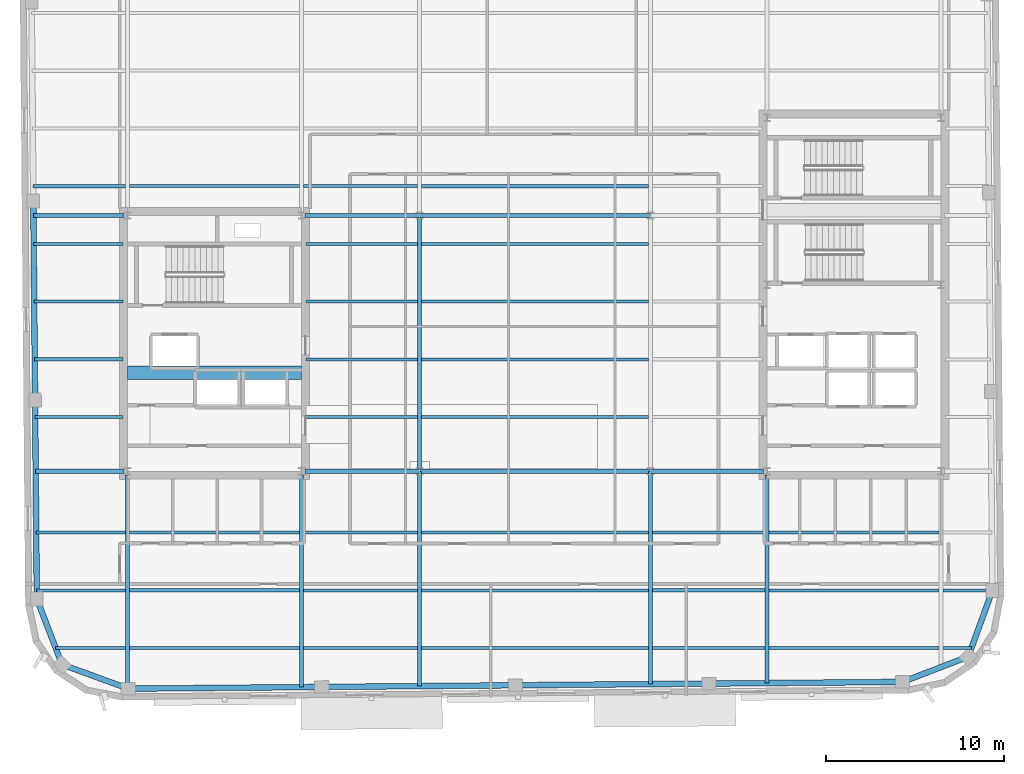
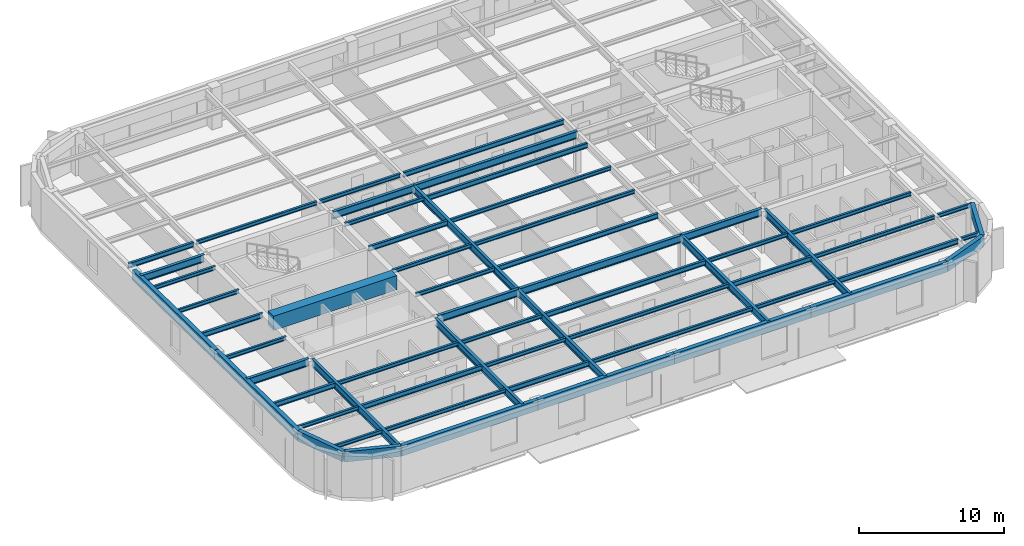
# One storey, part 4 of 15: 60 beams.
"""IFC4 building model written with IfcOpenShell, lengths in metres."""

from ifc_helpers import new_model, si_unit, direction, frame, origin, origin_2d, place, context, subcontext, project, spatial, rectangle, hollow_rectangle, i_section, extrude, material, material_profile, profile_set, type_object, element, save


model = new_model("IFC4")

# Units and contexts
model_context = context("Model", 3, precision=1e-05, world=origin(), true_north=direction((0.0, 1.0)))
body_context = subcontext(model_context, "Body", "Model", "MODEL_VIEW")
ifc_project = project(units=[si_unit("LENGTHUNIT", "METRE"), si_unit("AREAUNIT", "SQUARE_METRE"), si_unit("VOLUMEUNIT", "CUBIC_METRE"), si_unit("PLANEANGLEUNIT", "RADIAN"), si_unit("MASSUNIT", "GRAM", prefix="KILO")], contexts=[model_context])

# Site, building, storey
site_placement = place(None, origin())
site = spatial("IfcSite", under=ifc_project, at=site_placement, CompositionType="ELEMENT")
building_placement = place(site_placement, origin())
building = spatial("IfcBuilding", under=site, at=building_placement, Name="Kolvaren Arena Tower", CompositionType="ELEMENT")
storey_placement = place(building_placement, frame((0.0, 0.0, 304.89990234375)))
storey = spatial("IfcBuildingStorey", under=building, at=storey_placement, Name="L75", CompositionType="ELEMENT", Elevation=304.89990234375)

# Beams
ifc_material_1 = material(Name="Steel CSA G40.21 350W", Category="steel")
ifc_material_profile_1 = material_profile(ifc_material_1, i_section(OverallWidth=0.180908203125, OverallDepth=0.4169921875, WebThickness=0.010986328125, FlangeThickness=0.018310546875, FilletRadius=0.011962890625, at=origin_2d()), Name="W410x85")
ifc_profile_set_1 = profile_set([ifc_material_profile_1], Name="Steel CSA G40.21 350W")
beam_type_1 = type_object("IfcBeamType", Name="BEAM-F3", PredefinedType="BEAM", material=ifc_profile_set_1)
beam_1_placement = place(storey_placement, frame((24.464111328125, 9.5, 3.271484375), z_axis=(1.0, 0.0, 0.0), x_axis=(0.0, 1.0, 0.0)))
element("IfcBeam", 1, at=beam_1_placement, inside=storey, type_object=beam_type_1, Name="Composite Floor Beam (L75)", PredefinedType="BEAM", context=body_context, shape_type="SweptSolid", body=[
    extrude(i_section(OverallWidth=0.180908203125, OverallDepth=0.4169921875, WebThickness=0.010986328125, FlangeThickness=0.018310546875, FilletRadius=0.011962890625, at=origin_2d()), origin(), (0.0, 0.0, 1.0), 6.421875),
])
for number, where, z_axis, x_axis, name in (
    (2, (50.6640625, 9.5, 3.271484375), (1.0, 0.0, 0.0), (0.0, 1.0, 0.0), "Composite Floor Beam (L75)"),
    (3, (14.6640625, 12.75, 3.271484375), (1.0, 0.0, 0.0), (0.0, 1.0, 0.0), "Composite Floor Beam (L75)"),
):
    element("IfcBeam", number, at=place(storey_placement, frame(where, z_axis=z_axis, x_axis=x_axis)), inside=storey, type_object=beam_type_1, Name=name, PredefinedType="BEAM", context=body_context, shape_type="SweptSolid", body=[
        extrude(i_section(OverallWidth=0.180908203125, OverallDepth=0.4169921875, WebThickness=0.010986328125, FlangeThickness=0.018310546875, FilletRadius=0.011962890625, at=origin_2d()), origin(), (0.0, 0.0, 1.0), 9.572021484375),
    ])
beam_2_placement = place(storey_placement, frame((44.114013671875, 12.75, 3.271484375), z_axis=(1.0, 0.0, 0.0), x_axis=(0.0, 1.0, 0.0)))
element("IfcBeam", 4, at=beam_2_placement, inside=storey, type_object=beam_type_1, Name="Composite Floor Beam (L75)", PredefinedType="BEAM", context=body_context, shape_type="SweptSolid", body=[
    extrude(i_section(OverallWidth=0.180908203125, OverallDepth=0.4169921875, WebThickness=0.010986328125, FlangeThickness=0.018310546875, FilletRadius=0.011962890625, at=origin_2d()), origin(), (0.0, 0.0, 1.0), 6.322021484375),
])
beam_3_placement = place(storey_placement, frame((9.4150390625, 16.0, 3.271484375), z_axis=(1.0, 0.0, 0.0), x_axis=(0.0, 1.0, 0.0)))
element("IfcBeam", 5, at=beam_3_placement, inside=storey, type_object=beam_type_1, Name="Composite Floor Beam (L75)", PredefinedType="BEAM", context=body_context, shape_type="SweptSolid", body=[
    extrude(i_section(OverallWidth=0.180908203125, OverallDepth=0.4169921875, WebThickness=0.010986328125, FlangeThickness=0.018310546875, FilletRadius=0.011962890625, at=origin_2d()), origin(), (0.0, 0.0, 1.0), 5.02099609375),
])
for number, where, z_axis, x_axis, name in (
    (6, (31.114013671875, 16.0, 3.271484375), (1.0, 0.0, 0.0), (0.0, 1.0, 0.0), "Composite Floor Beam (L75)"),
    (7, (31.114013671875, 22.5, 3.271484375), (1.0, 0.0, 0.0), (0.0, 1.0, 0.0), "Composite Floor Beam (L75)"),
):
    element("IfcBeam", number, at=place(storey_placement, frame(where, z_axis=z_axis, x_axis=x_axis)), inside=storey, type_object=beam_type_1, Name=name, PredefinedType="BEAM", context=body_context, shape_type="SweptSolid", body=[
        extrude(i_section(OverallWidth=0.180908203125, OverallDepth=0.4169921875, WebThickness=0.010986328125, FlangeThickness=0.018310546875, FilletRadius=0.011962890625, at=origin_2d()), origin(), (0.0, 0.0, 1.0), 12.77197265625),
    ])
beam_4_placement = place(storey_placement, frame((9.330078125, 25.75, 3.271484375), z_axis=(1.0, 0.0, 0.0), x_axis=(0.0, 1.0, 0.0)))
element("IfcBeam", 8, at=beam_4_placement, inside=storey, type_object=beam_type_1, Name="Composite Floor Beam (L75)", PredefinedType="BEAM", context=body_context, shape_type="SweptSolid", body=[
    extrude(i_section(OverallWidth=0.180908203125, OverallDepth=0.4169921875, WebThickness=0.010986328125, FlangeThickness=0.018310546875, FilletRadius=0.011962890625, at=origin_2d()), origin(), (0.0, 0.0, 1.0), 4.974853515625),
])
beam_5_placement = place(storey_placement, frame((24.594970703125, 29.0, 3.271484375), z_axis=(1.0, 0.0, 0.0), x_axis=(0.0, 1.0, 0.0)))
element("IfcBeam", 9, at=beam_5_placement, inside=storey, type_object=beam_type_1, Name="Composite Floor Beam (L75)", PredefinedType="BEAM", context=body_context, shape_type="SweptSolid", body=[
    extrude(i_section(OverallWidth=0.180908203125, OverallDepth=0.4169921875, WebThickness=0.010986328125, FlangeThickness=0.018310546875, FilletRadius=0.011962890625, at=origin_2d()), origin(), (0.0, 0.0, 1.0), 6.291015625),
])
beam_6_placement = place(storey_placement, frame((31.114013671875, 32.25, 3.271484375), z_axis=(1.0, 0.0, 0.0), x_axis=(0.0, 1.0, 0.0)))
element("IfcBeam", 10, at=beam_6_placement, inside=storey, type_object=beam_type_1, Name="Composite Floor Beam (L75)", PredefinedType="BEAM", context=body_context, shape_type="SweptSolid", body=[
    extrude(i_section(OverallWidth=0.180908203125, OverallDepth=0.4169921875, WebThickness=0.010986328125, FlangeThickness=0.018310546875, FilletRadius=0.011962890625, at=origin_2d()), origin(), (0.0, 0.0, 1.0), 12.77197265625),
])
beam_7_placement = place(storey_placement, frame((9.244873046875, 35.5, 3.271484375), z_axis=(1.0, 0.0, 0.0), x_axis=(0.0, 1.0, 0.0)))
element("IfcBeam", 11, at=beam_7_placement, inside=storey, type_object=beam_type_1, Name="Composite Floor Beam (L75)", PredefinedType="BEAM", context=body_context, shape_type="SweptSolid", body=[
    extrude(i_section(OverallWidth=0.180908203125, OverallDepth=0.4169921875, WebThickness=0.010986328125, FlangeThickness=0.018310546875, FilletRadius=0.011962890625, at=origin_2d()), origin(), (0.0, 0.0, 1.0), 5.191162109375),
])
beam_8_placement = place(storey_placement, frame((31.114013671875, 35.5, 3.271484375), z_axis=(1.0, 0.0, 0.0), x_axis=(0.0, 1.0, 0.0)))
element("IfcBeam", 12, at=beam_8_placement, inside=storey, type_object=beam_type_1, Name="Composite Floor Beam (L75)", PredefinedType="BEAM", context=body_context, shape_type="SweptSolid", body=[
    extrude(i_section(OverallWidth=0.180908203125, OverallDepth=0.4169921875, WebThickness=0.010986328125, FlangeThickness=0.018310546875, FilletRadius=0.011962890625, at=origin_2d()), origin(), (0.0, 0.0, 1.0), 12.77197265625),
])
ifc_material_2 = material(Name="Concrete 60 MPa", Category="concrete")
ifc_material_profile_2 = material_profile(ifc_material_2, rectangle(XDim=0.75, YDim=1.199951171875, at=origin_2d()), Name="RC-750x1200")
ifc_profile_set_2 = profile_set([ifc_material_profile_2], Name="Concrete 60 MPa")
beam_type_2 = type_object("IfcBeamType", Name="CB-CORE-2", PredefinedType="BEAM", material=ifc_profile_set_2)
beam_9_placement = place(storey_placement, frame((14.550048828125, 25.0, 3.150146484375), z_axis=(1.0, 0.0, 0.0), x_axis=(0.0, 1.0, 0.0)))
element("IfcBeam", 13, at=beam_9_placement, inside=storey, type_object=beam_type_2, Name="West Core Coupling Beam (L75)", PredefinedType="BEAM", context=body_context, shape_type="SweptSolid", body=[
    extrude(rectangle(XDim=0.75, YDim=1.199951171875, at=origin_2d()), origin(), (0.0, 0.0, 1.0), 9.800048828125),
])
ifc_material_profile_3 = material_profile(ifc_material_1, i_section(OverallWidth=0.22802734375, OverallDepth=0.615966796875, WebThickness=0.013916015625, FlangeThickness=0.02490234375, FilletRadius=0.014892578125, at=origin_2d()), Name="W610x174")
ifc_profile_set_3 = profile_set([ifc_material_profile_3], Name="Steel CSA G40.21 350W")
beam_type_3 = type_object("IfcBeamType", Name="GIRD-T3", PredefinedType="BEAM", material=ifc_profile_set_3)
beam_10_placement = place(storey_placement, frame((9.385009765625, 19.449951171875, 3.172119140625), z_axis=(1.0, 0.0, 0.0), x_axis=(0.0, 1.0, 0.0)))
element("IfcBeam", 14, at=beam_10_placement, inside=storey, type_object=beam_type_3, Name="Primary Floor Girder (L75)", PredefinedType="BEAM", context=body_context, shape_type="SweptSolid", body=[
    extrude(i_section(OverallWidth=0.22802734375, OverallDepth=0.615966796875, WebThickness=0.013916015625, FlangeThickness=0.02490234375, FilletRadius=0.014892578125, at=origin_2d()), origin(), (0.0, 0.0, 1.0), 4.9599609375),
])
beam_11_placement = place(storey_placement, frame((24.554931640625, 19.449951171875, 3.172119140625), z_axis=(1.0, 0.0, 0.0), x_axis=(0.0, 1.0, 0.0)))
element("IfcBeam", 15, at=beam_11_placement, inside=storey, type_object=beam_type_3, Name="Primary Floor Girder (L75)", PredefinedType="BEAM", context=body_context, shape_type="SweptSolid", body=[
    extrude(i_section(OverallWidth=0.22802734375, OverallDepth=0.615966796875, WebThickness=0.013916015625, FlangeThickness=0.02490234375, FilletRadius=0.014892578125, at=origin_2d()), origin(), (0.0, 0.0, 1.0), 6.445068359375),
])
beam_12_placement = place(storey_placement, frame((31.0, 19.449951171875, 3.172119140625), z_axis=(1.0, 0.0, 0.0), x_axis=(0.0, 1.0, 0.0)))
element("IfcBeam", 16, at=beam_12_placement, inside=storey, type_object=beam_type_3, Name="Primary Floor Girder (L75)", PredefinedType="BEAM", context=body_context, shape_type="SweptSolid", body=[
    extrude(i_section(OverallWidth=0.22802734375, OverallDepth=0.615966796875, WebThickness=0.013916015625, FlangeThickness=0.02490234375, FilletRadius=0.014892578125, at=origin_2d()), origin(), (0.0, 0.0, 1.0), 13.0),
])
beam_13_placement = place(storey_placement, frame((44.0, 19.449951171875, 3.172119140625), z_axis=(1.0, 0.0, 0.0), x_axis=(0.0, 1.0, 0.0)))
element("IfcBeam", 17, at=beam_13_placement, inside=storey, type_object=beam_type_3, Name="Primary Floor Girder (L75)", PredefinedType="BEAM", context=body_context, shape_type="SweptSolid", body=[
    extrude(i_section(OverallWidth=0.22802734375, OverallDepth=0.615966796875, WebThickness=0.013916015625, FlangeThickness=0.02490234375, FilletRadius=0.014892578125, at=origin_2d()), origin(), (0.0, 0.0, 1.0), 6.344970703125),
])
beam_14_placement = place(storey_placement, frame((9.25927734375, 33.85009765625, 3.172119140625), z_axis=(1.0, 0.0, 0.0), x_axis=(0.0, 1.0, 0.0)))
element("IfcBeam", 18, at=beam_14_placement, inside=storey, type_object=beam_type_3, Name="Primary Floor Girder (L75)", PredefinedType="BEAM", context=body_context, shape_type="SweptSolid", body=[
    extrude(i_section(OverallWidth=0.22802734375, OverallDepth=0.615966796875, WebThickness=0.013916015625, FlangeThickness=0.02490234375, FilletRadius=0.014892578125, at=origin_2d()), origin(), (0.0, 0.0, 1.0), 5.085693359375),
])
beam_15_placement = place(storey_placement, frame((24.554931640625, 33.85009765625, 3.172119140625), z_axis=(1.0, 0.0, 0.0), x_axis=(0.0, 1.0, 0.0)))
element("IfcBeam", 19, at=beam_15_placement, inside=storey, type_object=beam_type_3, Name="Primary Floor Girder (L75)", PredefinedType="BEAM", context=body_context, shape_type="SweptSolid", body=[
    extrude(i_section(OverallWidth=0.22802734375, OverallDepth=0.615966796875, WebThickness=0.013916015625, FlangeThickness=0.02490234375, FilletRadius=0.014892578125, at=origin_2d()), origin(), (0.0, 0.0, 1.0), 6.445068359375),
])
beam_16_placement = place(storey_placement, frame((31.0, 33.85009765625, 3.172119140625), z_axis=(1.0, 0.0, 0.0), x_axis=(0.0, 1.0, 0.0)))
element("IfcBeam", 20, at=beam_16_placement, inside=storey, type_object=beam_type_3, Name="Primary Floor Girder (L75)", PredefinedType="BEAM", context=body_context, shape_type="SweptSolid", body=[
    extrude(i_section(OverallWidth=0.22802734375, OverallDepth=0.615966796875, WebThickness=0.013916015625, FlangeThickness=0.02490234375, FilletRadius=0.014892578125, at=origin_2d()), origin(), (0.0, 0.0, 1.0), 13.0),
])
beam_17_placement = place(storey_placement, frame((14.550048828125, 7.225830078125, 3.172119140625), z_axis=(0.0, 1.0, 0.0), x_axis=(-1.0, 0.0, 0.0)))
element("IfcBeam", 21, at=beam_17_placement, inside=storey, type_object=beam_type_3, Name="Primary Floor Girder (L75)", PredefinedType="BEAM", context=body_context, shape_type="SweptSolid", body=[
    extrude(i_section(OverallWidth=0.22802734375, OverallDepth=0.615966796875, WebThickness=0.013916015625, FlangeThickness=0.02490234375, FilletRadius=0.014892578125, at=origin_2d()), origin(), (0.0, 0.0, 1.0), 12.019287109375),
])
beam_18_placement = place(storey_placement, frame((24.35009765625, 7.295654296875, 3.172119140625), z_axis=(0.0, 1.0, 0.0), x_axis=(-1.0, 0.0, 0.0)))
element("IfcBeam", 22, at=beam_18_placement, inside=storey, type_object=beam_type_3, Name="Primary Floor Girder (L75)", PredefinedType="BEAM", context=body_context, shape_type="SweptSolid", body=[
    extrude(i_section(OverallWidth=0.22802734375, OverallDepth=0.615966796875, WebThickness=0.013916015625, FlangeThickness=0.02490234375, FilletRadius=0.014892578125, at=origin_2d()), origin(), (0.0, 0.0, 1.0), 11.949462890625),
])
beam_19_placement = place(storey_placement, frame((31.0, 7.353759765625, 3.172119140625), z_axis=(0.0, 1.0, 0.0), x_axis=(-1.0, 0.0, 0.0)))
element("IfcBeam", 23, at=beam_19_placement, inside=storey, type_object=beam_type_3, Name="Primary Floor Girder (L75)", PredefinedType="BEAM", context=body_context, shape_type="SweptSolid", body=[
    extrude(i_section(OverallWidth=0.22802734375, OverallDepth=0.615966796875, WebThickness=0.013916015625, FlangeThickness=0.02490234375, FilletRadius=0.014892578125, at=origin_2d()), origin(), (0.0, 0.0, 1.0), 12.09619140625),
])
beam_20_placement = place(storey_placement, frame((31.0, 19.449951171875, 3.172119140625), z_axis=(0.0, 1.0, 0.0), x_axis=(-1.0, 0.0, 0.0)))
element("IfcBeam", 24, at=beam_20_placement, inside=storey, type_object=beam_type_3, Name="Primary Floor Girder (L75)", PredefinedType="BEAM", context=body_context, shape_type="SweptSolid", body=[
    extrude(i_section(OverallWidth=0.22802734375, OverallDepth=0.615966796875, WebThickness=0.013916015625, FlangeThickness=0.02490234375, FilletRadius=0.014892578125, at=origin_2d()), origin(), (0.0, 0.0, 1.0), 14.400146484375),
])
beam_21_placement = place(storey_placement, frame((44.0, 7.46728515625, 3.172119140625), z_axis=(0.0, 1.0, 0.0), x_axis=(-1.0, 0.0, 0.0)))
element("IfcBeam", 25, at=beam_21_placement, inside=storey, type_object=beam_type_3, Name="Primary Floor Girder (L75)", PredefinedType="BEAM", context=body_context, shape_type="SweptSolid", body=[
    extrude(i_section(OverallWidth=0.22802734375, OverallDepth=0.615966796875, WebThickness=0.013916015625, FlangeThickness=0.02490234375, FilletRadius=0.014892578125, at=origin_2d()), origin(), (0.0, 0.0, 1.0), 11.982666015625),
])
beam_22_placement = place(storey_placement, frame((50.550048828125, 7.5244140625, 3.172119140625), z_axis=(0.0, 1.0, 0.0), x_axis=(-1.0, 0.0, 0.0)))
element("IfcBeam", 26, at=beam_22_placement, inside=storey, type_object=beam_type_3, Name="Primary Floor Girder (L75)", PredefinedType="BEAM", context=body_context, shape_type="SweptSolid", body=[
    extrude(i_section(OverallWidth=0.22802734375, OverallDepth=0.615966796875, WebThickness=0.013916015625, FlangeThickness=0.02490234375, FilletRadius=0.014892578125, at=origin_2d()), origin(), (0.0, 0.0, 1.0), 11.720703125),
])
ifc_material_profile_4 = material_profile(ifc_material_1, i_section(OverallWidth=0.1669921875, OverallDepth=0.31689453125, WebThickness=0.007568359375, FlangeThickness=0.01318359375, FilletRadius=0.010009765625, at=origin_2d()), Name="W310x52")
ifc_profile_set_4 = profile_set([ifc_material_profile_4], Name="Steel CSA G40.21 350W")
beam_type_4 = type_object("IfcBeamType", Name="JOIST-02", PredefinedType="JOIST", material=ifc_profile_set_4)
beam_23_placement = place(storey_placement, frame((10.5126953125, 9.5, 3.321533203125), z_axis=(1.0, 0.0, 0.0), x_axis=(0.0, 1.0, 0.0)))
element("IfcBeam", 27, at=beam_23_placement, inside=storey, type_object=beam_type_4, Name="Composite Floor Joist (L75)", PredefinedType="JOIST", context=body_context, shape_type="SweptSolid", body=[
    extrude(i_section(OverallWidth=0.1669921875, OverallDepth=0.31689453125, WebThickness=0.007568359375, FlangeThickness=0.01318359375, FilletRadius=0.010009765625, at=origin_2d()), origin(), (0.0, 0.0, 1.0), 3.92333984375),
])
beam_24_placement = place(storey_placement, frame((14.6640625, 9.5, 3.321533203125), z_axis=(1.0, 0.0, 0.0), x_axis=(0.0, 1.0, 0.0)))
element("IfcBeam", 28, at=beam_24_placement, inside=storey, type_object=beam_type_4, Name="Composite Floor Joist (L75)", PredefinedType="JOIST", context=body_context, shape_type="SweptSolid", body=[
    extrude(i_section(OverallWidth=0.1669921875, OverallDepth=0.31689453125, WebThickness=0.007568359375, FlangeThickness=0.01318359375, FilletRadius=0.010009765625, at=origin_2d()), origin(), (0.0, 0.0, 1.0), 9.572021484375),
])
beam_25_placement = place(storey_placement, frame((31.114013671875, 9.5, 3.321533203125), z_axis=(1.0, 0.0, 0.0), x_axis=(0.0, 1.0, 0.0)))
element("IfcBeam", 29, at=beam_25_placement, inside=storey, type_object=beam_type_4, Name="Composite Floor Joist (L75)", PredefinedType="JOIST", context=body_context, shape_type="SweptSolid", body=[
    extrude(i_section(OverallWidth=0.1669921875, OverallDepth=0.31689453125, WebThickness=0.007568359375, FlangeThickness=0.01318359375, FilletRadius=0.010009765625, at=origin_2d()), origin(), (0.0, 0.0, 1.0), 12.77197265625),
])
beam_26_placement = place(storey_placement, frame((44.114013671875, 9.5, 3.321533203125), z_axis=(1.0, 0.0, 0.0), x_axis=(0.0, 1.0, 0.0)))
element("IfcBeam", 30, at=beam_26_placement, inside=storey, type_object=beam_type_4, Name="Composite Floor Joist (L75)", PredefinedType="JOIST", context=body_context, shape_type="SweptSolid", body=[
    extrude(i_section(OverallWidth=0.1669921875, OverallDepth=0.31689453125, WebThickness=0.007568359375, FlangeThickness=0.01318359375, FilletRadius=0.010009765625, at=origin_2d()), origin(), (0.0, 0.0, 1.0), 6.322021484375),
])
beam_27_placement = place(storey_placement, frame((60.464111328125, 9.5, 3.321533203125), z_axis=(1.0, 0.0, 0.0), x_axis=(0.0, 1.0, 0.0)))
element("IfcBeam", 31, at=beam_27_placement, inside=storey, type_object=beam_type_4, Name="Composite Floor Joist (L75)", PredefinedType="JOIST", context=body_context, shape_type="SweptSolid", body=[
    extrude(i_section(OverallWidth=0.1669921875, OverallDepth=0.31689453125, WebThickness=0.007568359375, FlangeThickness=0.01318359375, FilletRadius=0.010009765625, at=origin_2d()), origin(), (0.0, 0.0, 1.0), 1.60009765625),
])
beam_28_placement = place(storey_placement, frame((9.443359375, 12.75, 3.321533203125), z_axis=(1.0, 0.0, 0.0), x_axis=(0.0, 1.0, 0.0)))
element("IfcBeam", 32, at=beam_28_placement, inside=storey, type_object=beam_type_4, Name="Composite Floor Joist (L75)", PredefinedType="JOIST", context=body_context, shape_type="SweptSolid", body=[
    extrude(i_section(OverallWidth=0.1669921875, OverallDepth=0.31689453125, WebThickness=0.007568359375, FlangeThickness=0.01318359375, FilletRadius=0.010009765625, at=origin_2d()), origin(), (0.0, 0.0, 1.0), 4.99267578125),
])
beam_29_placement = place(storey_placement, frame((24.464111328125, 12.75, 3.321533203125), z_axis=(1.0, 0.0, 0.0), x_axis=(0.0, 1.0, 0.0)))
element("IfcBeam", 33, at=beam_29_placement, inside=storey, type_object=beam_type_4, Name="Composite Floor Joist (L75)", PredefinedType="JOIST", context=body_context, shape_type="SweptSolid", body=[
    extrude(i_section(OverallWidth=0.1669921875, OverallDepth=0.31689453125, WebThickness=0.007568359375, FlangeThickness=0.01318359375, FilletRadius=0.010009765625, at=origin_2d()), origin(), (0.0, 0.0, 1.0), 6.421875),
])
beam_30_placement = place(storey_placement, frame((31.114013671875, 12.75, 3.321533203125), z_axis=(1.0, 0.0, 0.0), x_axis=(0.0, 1.0, 0.0)))
element("IfcBeam", 34, at=beam_30_placement, inside=storey, type_object=beam_type_4, Name="Composite Floor Joist (L75)", PredefinedType="JOIST", context=body_context, shape_type="SweptSolid", body=[
    extrude(i_section(OverallWidth=0.1669921875, OverallDepth=0.31689453125, WebThickness=0.007568359375, FlangeThickness=0.01318359375, FilletRadius=0.010009765625, at=origin_2d()), origin(), (0.0, 0.0, 1.0), 12.77197265625),
])
beam_31_placement = place(storey_placement, frame((50.6640625, 12.75, 3.321533203125), z_axis=(1.0, 0.0, 0.0), x_axis=(0.0, 1.0, 0.0)))
element("IfcBeam", 35, at=beam_31_placement, inside=storey, type_object=beam_type_4, Name="Composite Floor Joist (L75)", PredefinedType="JOIST", context=body_context, shape_type="SweptSolid", body=[
    extrude(i_section(OverallWidth=0.1669921875, OverallDepth=0.31689453125, WebThickness=0.007568359375, FlangeThickness=0.01318359375, FilletRadius=0.010009765625, at=origin_2d()), origin(), (0.0, 0.0, 1.0), 9.572021484375),
])
beam_32_placement = place(storey_placement, frame((60.464111328125, 12.75, 3.321533203125), z_axis=(1.0, 0.0, 0.0), x_axis=(0.0, 1.0, 0.0)))
element("IfcBeam", 36, at=beam_32_placement, inside=storey, type_object=beam_type_4, Name="Composite Floor Joist (L75)", PredefinedType="JOIST", context=body_context, shape_type="SweptSolid", body=[
    extrude(i_section(OverallWidth=0.1669921875, OverallDepth=0.31689453125, WebThickness=0.007568359375, FlangeThickness=0.01318359375, FilletRadius=0.010009765625, at=origin_2d()), origin(), (0.0, 0.0, 1.0), 2.781494140625),
])
beam_33_placement = place(storey_placement, frame((14.6640625, 16.0, 3.321533203125), z_axis=(1.0, 0.0, 0.0), x_axis=(0.0, 1.0, 0.0)))
element("IfcBeam", 37, at=beam_33_placement, inside=storey, type_object=beam_type_4, Name="Composite Floor Joist (L75)", PredefinedType="JOIST", context=body_context, shape_type="SweptSolid", body=[
    extrude(i_section(OverallWidth=0.1669921875, OverallDepth=0.31689453125, WebThickness=0.007568359375, FlangeThickness=0.01318359375, FilletRadius=0.010009765625, at=origin_2d()), origin(), (0.0, 0.0, 1.0), 9.572021484375),
])
beam_34_placement = place(storey_placement, frame((24.464111328125, 16.0, 3.321533203125), z_axis=(1.0, 0.0, 0.0), x_axis=(0.0, 1.0, 0.0)))
element("IfcBeam", 38, at=beam_34_placement, inside=storey, type_object=beam_type_4, Name="Composite Floor Joist (L75)", PredefinedType="JOIST", context=body_context, shape_type="SweptSolid", body=[
    extrude(i_section(OverallWidth=0.1669921875, OverallDepth=0.31689453125, WebThickness=0.007568359375, FlangeThickness=0.01318359375, FilletRadius=0.010009765625, at=origin_2d()), origin(), (0.0, 0.0, 1.0), 6.421875),
])
beam_35_placement = place(storey_placement, frame((44.114013671875, 16.0, 3.321533203125), z_axis=(1.0, 0.0, 0.0), x_axis=(0.0, 1.0, 0.0)))
element("IfcBeam", 39, at=beam_35_placement, inside=storey, type_object=beam_type_4, Name="Composite Floor Joist (L75)", PredefinedType="JOIST", context=body_context, shape_type="SweptSolid", body=[
    extrude(i_section(OverallWidth=0.1669921875, OverallDepth=0.31689453125, WebThickness=0.007568359375, FlangeThickness=0.01318359375, FilletRadius=0.010009765625, at=origin_2d()), origin(), (0.0, 0.0, 1.0), 6.322021484375),
])
beam_36_placement = place(storey_placement, frame((50.6640625, 16.0, 3.321533203125), z_axis=(1.0, 0.0, 0.0), x_axis=(0.0, 1.0, 0.0)))
element("IfcBeam", 40, at=beam_36_placement, inside=storey, type_object=beam_type_4, Name="Composite Floor Joist (L75)", PredefinedType="JOIST", context=body_context, shape_type="SweptSolid", body=[
    extrude(i_section(OverallWidth=0.1669921875, OverallDepth=0.31689453125, WebThickness=0.007568359375, FlangeThickness=0.01318359375, FilletRadius=0.010009765625, at=origin_2d()), origin(), (0.0, 0.0, 1.0), 9.572021484375),
])
beam_37_placement = place(storey_placement, frame((9.3583984375, 22.5, 3.321533203125), z_axis=(1.0, 0.0, 0.0), x_axis=(0.0, 1.0, 0.0)))
element("IfcBeam", 41, at=beam_37_placement, inside=storey, type_object=beam_type_4, Name="Composite Floor Joist (L75)", PredefinedType="JOIST", context=body_context, shape_type="SweptSolid", body=[
    extrude(i_section(OverallWidth=0.1669921875, OverallDepth=0.31689453125, WebThickness=0.007568359375, FlangeThickness=0.01318359375, FilletRadius=0.010009765625, at=origin_2d()), origin(), (0.0, 0.0, 1.0), 4.946533203125),
])
for number, where, z_axis, x_axis, name in (
    (42, (24.594970703125, 22.5, 3.321533203125), (1.0, 0.0, 0.0), (0.0, 1.0, 0.0), "Composite Floor Joist (L75)"),
    (43, (24.594970703125, 25.75, 3.321533203125), (1.0, 0.0, 0.0), (0.0, 1.0, 0.0), "Composite Floor Joist (L75)"),
):
    element("IfcBeam", number, at=place(storey_placement, frame(where, z_axis=z_axis, x_axis=x_axis)), inside=storey, type_object=beam_type_4, Name=name, PredefinedType="JOIST", context=body_context, shape_type="SweptSolid", body=[
        extrude(i_section(OverallWidth=0.1669921875, OverallDepth=0.31689453125, WebThickness=0.007568359375, FlangeThickness=0.01318359375, FilletRadius=0.010009765625, at=origin_2d()), origin(), (0.0, 0.0, 1.0), 6.291015625),
    ])
beam_38_placement = place(storey_placement, frame((31.114013671875, 25.75, 3.321533203125), z_axis=(1.0, 0.0, 0.0), x_axis=(0.0, 1.0, 0.0)))
element("IfcBeam", 44, at=beam_38_placement, inside=storey, type_object=beam_type_4, Name="Composite Floor Joist (L75)", PredefinedType="JOIST", context=body_context, shape_type="SweptSolid", body=[
    extrude(i_section(OverallWidth=0.1669921875, OverallDepth=0.31689453125, WebThickness=0.007568359375, FlangeThickness=0.01318359375, FilletRadius=0.010009765625, at=origin_2d()), origin(), (0.0, 0.0, 1.0), 12.77197265625),
])
beam_39_placement = place(storey_placement, frame((9.301513671875, 29.0, 3.321533203125), z_axis=(1.0, 0.0, 0.0), x_axis=(0.0, 1.0, 0.0)))
element("IfcBeam", 45, at=beam_39_placement, inside=storey, type_object=beam_type_4, Name="Composite Floor Joist (L75)", PredefinedType="JOIST", context=body_context, shape_type="SweptSolid", body=[
    extrude(i_section(OverallWidth=0.1669921875, OverallDepth=0.31689453125, WebThickness=0.007568359375, FlangeThickness=0.01318359375, FilletRadius=0.010009765625, at=origin_2d()), origin(), (0.0, 0.0, 1.0), 5.00341796875),
])
beam_40_placement = place(storey_placement, frame((31.114013671875, 29.0, 3.321533203125), z_axis=(1.0, 0.0, 0.0), x_axis=(0.0, 1.0, 0.0)))
element("IfcBeam", 46, at=beam_40_placement, inside=storey, type_object=beam_type_4, Name="Composite Floor Joist (L75)", PredefinedType="JOIST", context=body_context, shape_type="SweptSolid", body=[
    extrude(i_section(OverallWidth=0.1669921875, OverallDepth=0.31689453125, WebThickness=0.007568359375, FlangeThickness=0.01318359375, FilletRadius=0.010009765625, at=origin_2d()), origin(), (0.0, 0.0, 1.0), 12.77197265625),
])
beam_41_placement = place(storey_placement, frame((9.273193359375, 32.25, 3.321533203125), z_axis=(1.0, 0.0, 0.0), x_axis=(0.0, 1.0, 0.0)))
element("IfcBeam", 47, at=beam_41_placement, inside=storey, type_object=beam_type_4, Name="Composite Floor Joist (L75)", PredefinedType="JOIST", context=body_context, shape_type="SweptSolid", body=[
    extrude(i_section(OverallWidth=0.1669921875, OverallDepth=0.31689453125, WebThickness=0.007568359375, FlangeThickness=0.01318359375, FilletRadius=0.010009765625, at=origin_2d()), origin(), (0.0, 0.0, 1.0), 5.03173828125),
])
beam_42_placement = place(storey_placement, frame((24.594970703125, 32.25, 3.321533203125), z_axis=(1.0, 0.0, 0.0), x_axis=(0.0, 1.0, 0.0)))
element("IfcBeam", 48, at=beam_42_placement, inside=storey, type_object=beam_type_4, Name="Composite Floor Joist (L75)", PredefinedType="JOIST", context=body_context, shape_type="SweptSolid", body=[
    extrude(i_section(OverallWidth=0.1669921875, OverallDepth=0.31689453125, WebThickness=0.007568359375, FlangeThickness=0.01318359375, FilletRadius=0.010009765625, at=origin_2d()), origin(), (0.0, 0.0, 1.0), 6.291015625),
])
beam_43_placement = place(storey_placement, frame((14.6640625, 35.5, 3.321533203125), z_axis=(1.0, 0.0, 0.0), x_axis=(0.0, 1.0, 0.0)))
element("IfcBeam", 49, at=beam_43_placement, inside=storey, type_object=beam_type_4, Name="Composite Floor Joist (L75)", PredefinedType="JOIST", context=body_context, shape_type="SweptSolid", body=[
    extrude(i_section(OverallWidth=0.1669921875, OverallDepth=0.31689453125, WebThickness=0.007568359375, FlangeThickness=0.01318359375, FilletRadius=0.010009765625, at=origin_2d()), origin(), (0.0, 0.0, 1.0), 9.572021484375),
])
beam_44_placement = place(storey_placement, frame((24.464111328125, 35.5, 3.321533203125), z_axis=(1.0, 0.0, 0.0), x_axis=(0.0, 1.0, 0.0)))
element("IfcBeam", 50, at=beam_44_placement, inside=storey, type_object=beam_type_4, Name="Composite Floor Joist (L75)", PredefinedType="JOIST", context=body_context, shape_type="SweptSolid", body=[
    extrude(i_section(OverallWidth=0.1669921875, OverallDepth=0.31689453125, WebThickness=0.007568359375, FlangeThickness=0.01318359375, FilletRadius=0.010009765625, at=origin_2d()), origin(), (0.0, 0.0, 1.0), 6.421875),
])
ifc_material_3 = material(Name="Steel CSA G40.21 350WT", Category="steel")
ifc_material_profile_5 = material_profile(ifc_material_3, hollow_rectangle(XDim=0.320068359375, YDim=0.860107421875, WallThickness=0.01806640625, at=origin_2d()), Name="HSS 860x320x18")
ifc_profile_set_5 = profile_set([ifc_material_profile_5], Name="Steel CSA G40.21 350WT")
beam_type_5 = type_object("IfcBeamType", Name="SPAND-02", PredefinedType="SPANDREL", material=ifc_profile_set_5)
for number, where, z_axis, x_axis, name in (
    (51, (14.591796875, 7.210693359375, 3.050048828125), (0.999962042393, 0.008712851036, 0.0), (-0.008712851036, 0.999962042393, 0.0), "Perimeter Spandrel Beam (L75)"),
    (52, (25.491455078125, 7.3056640625, 3.050048828125), (0.999961846999, 0.008735247404, 0.0), (-0.008735247404, 0.999961846999, 0.0), "Perimeter Spandrel Beam (L75)"),
    (53, (36.39111328125, 7.40087890625, 3.050048828125), (0.999961846999, 0.008735247404, 0.0), (-0.008735247404, 0.999961846999, 0.0), "Perimeter Spandrel Beam (L75)"),
):
    element("IfcBeam", number, at=place(storey_placement, frame(where, z_axis=z_axis, x_axis=x_axis)), inside=storey, type_object=beam_type_5, Name=name, PredefinedType="SPANDREL", context=body_context, shape_type="SweptSolid", body=[
        extrude(hollow_rectangle(XDim=0.320068359375, YDim=0.860107421875, WallThickness=0.01806640625, at=origin_2d()), origin(), (0.0, 0.0, 1.0), 10.900146484375),
    ])
beam_45_placement = place(storey_placement, frame((47.290771484375, 7.49609375, 3.050048828125), z_axis=(0.999962040693, 0.008713046184, 0.0), x_axis=(-0.008713046184, 0.999962040693, 0.0)))
element("IfcBeam", 54, at=beam_45_placement, inside=storey, type_object=beam_type_5, Name="Perimeter Spandrel Beam (L75)", PredefinedType="SPANDREL", context=body_context, shape_type="SweptSolid", body=[
    extrude(hollow_rectangle(XDim=0.320068359375, YDim=0.860107421875, WallThickness=0.01806640625, at=origin_2d()), origin(), (0.0, 0.0, 1.0), 10.89990234375),
])
for number, where, z_axis, x_axis, name in (
    (55, (58.190185546875, 7.591064453125, 3.050048828125), (0.933189846698, 0.359383792094, 0.0), (-0.359383792094, 0.933189846698, 0.0), "Perimeter Spandrel Beam (L75)"),
    (56, (61.88671875, 9.0146484375, 3.050048828125), (0.343059102458, 0.939313819882, 0.0), (-0.939313819882, 0.343059102458, 0.0), "Perimeter Spandrel Beam (L75)"),
):
    element("IfcBeam", number, at=place(storey_placement, frame(where, z_axis=z_axis, x_axis=x_axis)), inside=storey, type_object=beam_type_5, Name=name, PredefinedType="SPANDREL", context=body_context, shape_type="SweptSolid", body=[
        extrude(hollow_rectangle(XDim=0.320068359375, YDim=0.860107421875, WallThickness=0.01806640625, at=origin_2d()), origin(), (0.0, 0.0, 1.0), 3.961181640625),
    ])
beam_46_placement = place(storey_placement, frame((9.252197265625, 34.6650390625, 3.050048828125), z_axis=(0.008719394723, -0.999961985355, 0.0), x_axis=(0.999961985355, 0.008719394723, 0.0)))
element("IfcBeam", 57, at=beam_46_placement, inside=storey, type_object=beam_type_5, Name="Perimeter Spandrel Beam (L75)", PredefinedType="SPANDREL", context=body_context, shape_type="SweptSolid", body=[
    extrude(hollow_rectangle(XDim=0.320068359375, YDim=0.860107421875, WallThickness=0.01806640625, at=origin_2d()), origin(), (0.0, 0.0, 1.0), 11.199951171875),
])
beam_47_placement = place(storey_placement, frame((9.349853515625, 23.465576171875, 3.050048828125), z_axis=(0.008719204665, -0.999961987013, 0.0), x_axis=(0.999961987013, 0.008719204665, 0.0)))
element("IfcBeam", 58, at=beam_47_placement, inside=storey, type_object=beam_type_5, Name="Perimeter Spandrel Beam (L75)", PredefinedType="SPANDREL", context=body_context, shape_type="SweptSolid", body=[
    extrude(hollow_rectangle(XDim=0.320068359375, YDim=0.860107421875, WallThickness=0.01806640625, at=origin_2d()), origin(), (0.0, 0.0, 1.0), 11.2001953125),
])
beam_48_placement = place(storey_placement, frame((9.447509765625, 12.265869140625, 3.050048828125), z_axis=(0.359383792094, -0.933189846698, 0.0), x_axis=(0.933189846698, 0.359383792094, 0.0)))
element("IfcBeam", 59, at=beam_48_placement, inside=storey, type_object=beam_type_5, Name="Perimeter Spandrel Beam (L75)", PredefinedType="SPANDREL", context=body_context, shape_type="SweptSolid", body=[
    extrude(hollow_rectangle(XDim=0.320068359375, YDim=0.860107421875, WallThickness=0.01806640625, at=origin_2d()), origin(), (0.0, 0.0, 1.0), 3.961181640625),
])
beam_49_placement = place(storey_placement, frame((10.87109375, 8.5693359375, 3.050048828125), z_axis=(0.939333679924, -0.343004719736, 0.0), x_axis=(0.343004719736, 0.939333679924, 0.0)))
element("IfcBeam", 60, at=beam_49_placement, inside=storey, type_object=beam_type_5, Name="Perimeter Spandrel Beam (L75)", PredefinedType="SPANDREL", context=body_context, shape_type="SweptSolid", body=[
    extrude(hollow_rectangle(XDim=0.320068359375, YDim=0.860107421875, WallThickness=0.01806640625, at=origin_2d()), origin(), (0.0, 0.0, 1.0), 3.9609375),
])

save(model, "model.ifc")
